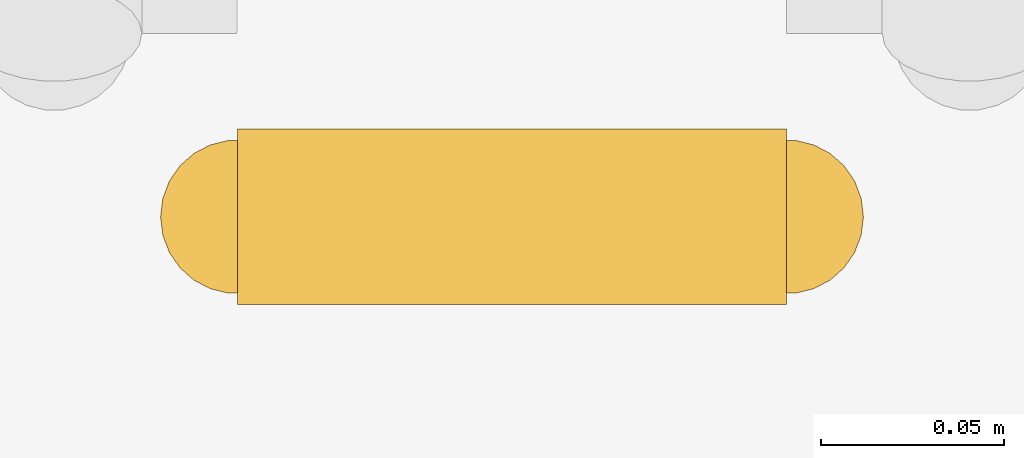
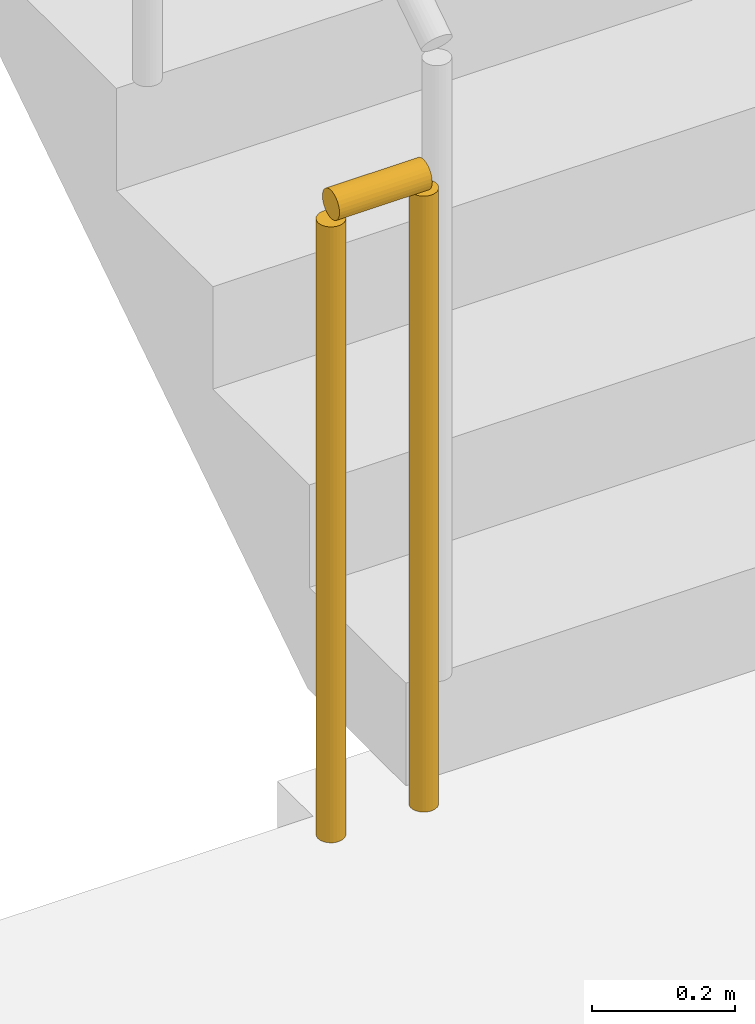
# One storey, part 14 of 19: 1 railing.
"""IFC4 building model written with IfcOpenShell, lengths in metres."""

from ifc_helpers import new_model, si_unit, direction, frame, origin, origin_2d, place, context, subcontext, project, spatial, circle, extrude, material, type_object, element, save


model = new_model("IFC4")

# Units and contexts
model_context = context("Model", 3, precision=1e-05, world=origin(), true_north=direction((0.0, 1.0)))
body_context = subcontext(model_context, "Body", "Model", "MODEL_VIEW")
ifc_project = project(units=[si_unit("LENGTHUNIT", "METRE"), si_unit("AREAUNIT", "SQUARE_METRE"), si_unit("VOLUMEUNIT", "CUBIC_METRE"), si_unit("PLANEANGLEUNIT", "RADIAN"), si_unit("MASSUNIT", "GRAM", prefix="KILO")], contexts=[model_context])

# Site, building, storey
site_placement = place(None, origin())
site = spatial("IfcSite", under=ifc_project, at=site_placement, CompositionType="ELEMENT")
building_placement = place(site_placement, origin())
building = spatial("IfcBuilding", under=site, at=building_placement, Name="Saffron Iwan Residences", CompositionType="ELEMENT")
storey_placement = place(building_placement, frame((0.0, 0.0, 246.5)))
storey = spatial("IfcBuildingStorey", under=building, at=storey_placement, Name="L66", CompositionType="ELEMENT", Elevation=246.5)

# Railing
ifc_material = material(Name="Steel S355", Category="steel")
railing_type = type_object("IfcRailingType", Name="Stair guard 1100", PredefinedType="GUARDRAIL", material=ifc_material)
railing_placement = place(storey_placement, frame((31.25, 67.800048828125, 0.0)))
element("IfcRailing", 1, at=railing_placement, inside=storey, type_object=railing_type, Name="L66 ST-W stair guard 2", PredefinedType="GUARDRAIL", context=body_context, shape_type="SweptSolid", body=[
    extrude(circle(Radius=0.02392578125, at=origin_2d()), frame((0.0, 0.0, 1.076171875), z_axis=(-1.0, 0.0, 0.0), x_axis=(0.0, -1.0, 0.0)), (0.0, 0.0, 1.0), 0.14990234375),
    extrude(circle(Radius=0.02099609375, at=origin_2d()), origin(), (0.0, 0.0, 1.0), 1.052001953125),
    extrude(circle(Radius=0.02099609375, at=origin_2d()), frame((-0.14990234375, 0.0, 0.0)), (0.0, 0.0, 1.0), 1.052001953125),
])

save(model, "model.ifc")
